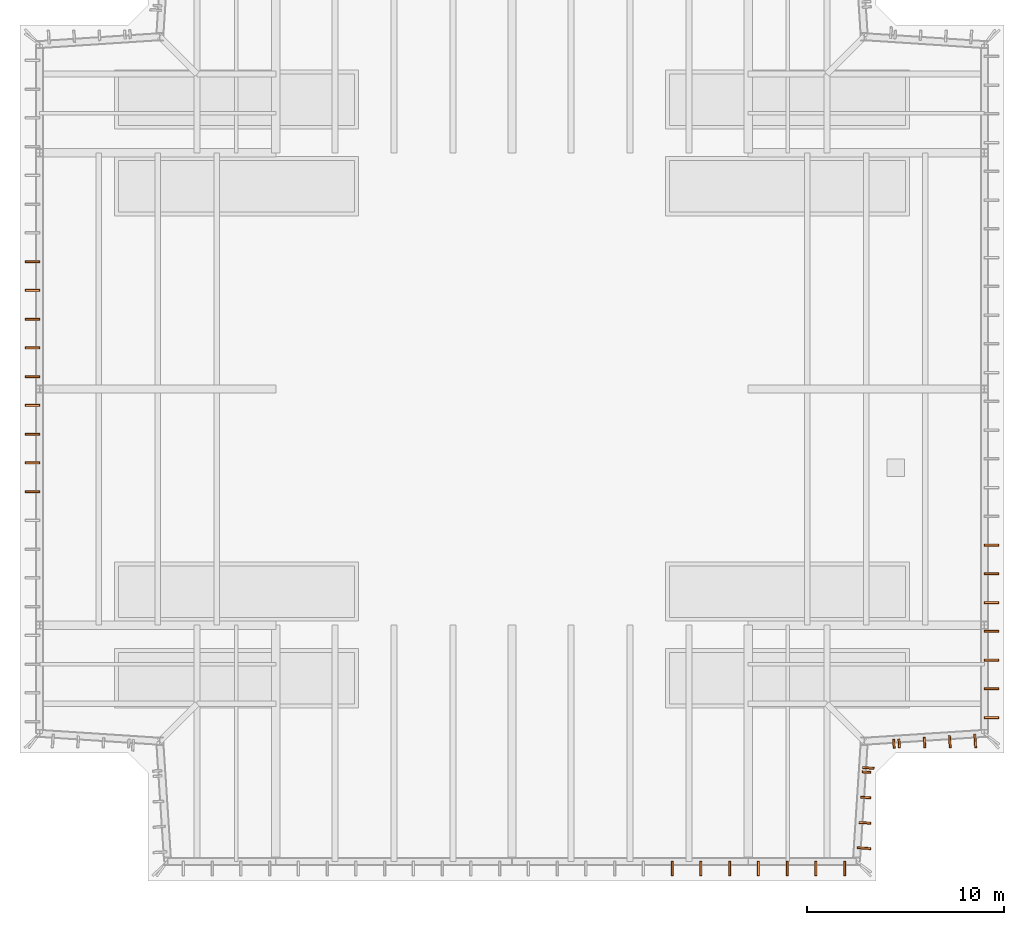
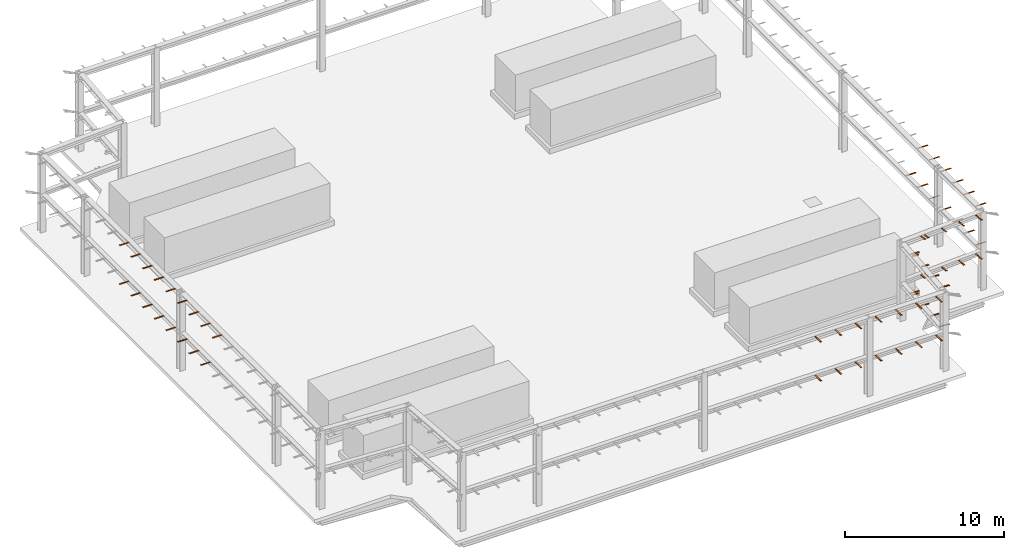
# One storey, part 5 of 8: 64 proxies.
"""IFC4 building model written with IfcOpenShell, lengths in metres."""

from ifc_helpers import new_model, si_unit, direction, frame, origin, origin_2d, place, context, subcontext, project, spatial, rectangle, extrude, material, material_profile, profile_set, type_object, element, save


model = new_model("IFC4")

# Units and contexts
model_context = context("Model", 3, precision=1e-05, world=origin(), true_north=direction((0.0, 1.0)))
body_context = subcontext(model_context, "Body", "Model", "MODEL_VIEW")
ifc_project = project(units=[si_unit("LENGTHUNIT", "METRE"), si_unit("AREAUNIT", "SQUARE_METRE"), si_unit("VOLUMEUNIT", "CUBIC_METRE"), si_unit("PLANEANGLEUNIT", "RADIAN"), si_unit("MASSUNIT", "GRAM", prefix="KILO")], contexts=[model_context])

# Site, building, storey
site_placement = place(None, origin())
site = spatial("IfcSite", under=ifc_project, at=site_placement, CompositionType="ELEMENT")
building_placement = place(site_placement, origin())
building = spatial("IfcBuilding", under=site, at=building_placement, Name="Fenwick Lantern Interchange", CompositionType="ELEMENT")
storey_placement = place(building_placement, frame((0.0, 0.0, 313.800048828125)))
storey = spatial("IfcBuildingStorey", under=building, at=storey_placement, Name="RF-A", CompositionType="ELEMENT", Elevation=313.800048828125)

# Proxies
ifc_material = material(Name="Steel ASTM A572 Grade 50", Category="steel")
ifc_material_profile = material_profile(ifc_material, rectangle(XDim=0.10009765625, YDim=0.011962890625, at=origin_2d()), Name="PL100X12")
ifc_profile_set = profile_set([ifc_material_profile], Name="Steel ASTM A572 Grade 50")
building_element_proxy_type = type_object("IfcBuildingElementProxyType", Name="LANTERN TIE BRACKET PL 100 X 12", PredefinedType="USERDEFINED", material=ifc_profile_set)
proxy_1_placement = place(storey_placement, frame((33.134521484375, 0.27490234375, 2.84619140625), z_axis=(0.0, 1.0, 0.0), x_axis=(-1.0, 0.0, 0.0)))
element("IfcBuildingElementProxy", 1, at=proxy_1_placement, inside=storey, type_object=building_element_proxy_type, Name="Lantern tie bracket", ObjectType="LANTERN TIE BRACKET", PredefinedType="USERDEFINED", context=body_context, shape_type="SweptSolid", body=[
    extrude(rectangle(XDim=0.10009765625, YDim=0.011962890625, at=origin_2d()), origin(), (0.0, 0.0, 1.0), 0.72021484375),
])
proxy_2_placement = place(storey_placement, frame((33.134521484375, 0.27490234375, 5.822265625), z_axis=(0.0, 1.0, 0.0), x_axis=(-1.0, 0.0, 0.0)))
element("IfcBuildingElementProxy", 2, at=proxy_2_placement, inside=storey, type_object=building_element_proxy_type, Name="Lantern tie bracket", ObjectType="LANTERN TIE BRACKET", PredefinedType="USERDEFINED", context=body_context, shape_type="SweptSolid", body=[
    extrude(rectangle(XDim=0.10009765625, YDim=0.011962890625, at=origin_2d()), origin(), (0.0, 0.0, 1.0), 0.719482421875),
])
proxy_3_placement = place(storey_placement, frame((34.59521484375, 0.27490234375, 2.84619140625), z_axis=(0.0, 1.0, 0.0), x_axis=(-1.0, 0.0, 0.0)))
element("IfcBuildingElementProxy", 3, at=proxy_3_placement, inside=storey, type_object=building_element_proxy_type, Name="Lantern tie bracket", ObjectType="LANTERN TIE BRACKET", PredefinedType="USERDEFINED", context=body_context, shape_type="SweptSolid", body=[
    extrude(rectangle(XDim=0.10009765625, YDim=0.011962890625, at=origin_2d()), origin(), (0.0, 0.0, 1.0), 0.72021484375),
])
proxy_4_placement = place(storey_placement, frame((34.59521484375, 0.27490234375, 5.822265625), z_axis=(0.0, 1.0, 0.0), x_axis=(-1.0, 0.0, 0.0)))
element("IfcBuildingElementProxy", 4, at=proxy_4_placement, inside=storey, type_object=building_element_proxy_type, Name="Lantern tie bracket", ObjectType="LANTERN TIE BRACKET", PredefinedType="USERDEFINED", context=body_context, shape_type="SweptSolid", body=[
    extrude(rectangle(XDim=0.10009765625, YDim=0.011962890625, at=origin_2d()), origin(), (0.0, 0.0, 1.0), 0.719482421875),
])
proxy_5_placement = place(storey_placement, frame((36.055908203125, 0.27490234375, 2.84619140625), z_axis=(0.0, 1.0, 0.0), x_axis=(-1.0, 0.0, 0.0)))
element("IfcBuildingElementProxy", 5, at=proxy_5_placement, inside=storey, type_object=building_element_proxy_type, Name="Lantern tie bracket", ObjectType="LANTERN TIE BRACKET", PredefinedType="USERDEFINED", context=body_context, shape_type="SweptSolid", body=[
    extrude(rectangle(XDim=0.10009765625, YDim=0.011962890625, at=origin_2d()), origin(), (0.0, 0.0, 1.0), 0.72021484375),
])
proxy_6_placement = place(storey_placement, frame((36.055908203125, 0.27490234375, 5.822265625), z_axis=(0.0, 1.0, 0.0), x_axis=(-1.0, 0.0, 0.0)))
element("IfcBuildingElementProxy", 6, at=proxy_6_placement, inside=storey, type_object=building_element_proxy_type, Name="Lantern tie bracket", ObjectType="LANTERN TIE BRACKET", PredefinedType="USERDEFINED", context=body_context, shape_type="SweptSolid", body=[
    extrude(rectangle(XDim=0.10009765625, YDim=0.011962890625, at=origin_2d()), origin(), (0.0, 0.0, 1.0), 0.719482421875),
])
proxy_7_placement = place(storey_placement, frame((37.516845703125, 0.27490234375, 2.84619140625), z_axis=(0.0, 1.0, 0.0), x_axis=(-1.0, 0.0, 0.0)))
element("IfcBuildingElementProxy", 7, at=proxy_7_placement, inside=storey, type_object=building_element_proxy_type, Name="Lantern tie bracket", ObjectType="LANTERN TIE BRACKET", PredefinedType="USERDEFINED", context=body_context, shape_type="SweptSolid", body=[
    extrude(rectangle(XDim=0.10009765625, YDim=0.011962890625, at=origin_2d()), origin(), (0.0, 0.0, 1.0), 0.72021484375),
])
proxy_8_placement = place(storey_placement, frame((37.516845703125, 0.27490234375, 5.822265625), z_axis=(0.0, 1.0, 0.0), x_axis=(-1.0, 0.0, 0.0)))
element("IfcBuildingElementProxy", 8, at=proxy_8_placement, inside=storey, type_object=building_element_proxy_type, Name="Lantern tie bracket", ObjectType="LANTERN TIE BRACKET", PredefinedType="USERDEFINED", context=body_context, shape_type="SweptSolid", body=[
    extrude(rectangle(XDim=0.10009765625, YDim=0.011962890625, at=origin_2d()), origin(), (0.0, 0.0, 1.0), 0.719482421875),
])
proxy_9_placement = place(storey_placement, frame((38.9775390625, 0.27490234375, 2.84619140625), z_axis=(0.0, 1.0, 0.0), x_axis=(-1.0, 0.0, 0.0)))
element("IfcBuildingElementProxy", 9, at=proxy_9_placement, inside=storey, type_object=building_element_proxy_type, Name="Lantern tie bracket", ObjectType="LANTERN TIE BRACKET", PredefinedType="USERDEFINED", context=body_context, shape_type="SweptSolid", body=[
    extrude(rectangle(XDim=0.10009765625, YDim=0.011962890625, at=origin_2d()), origin(), (0.0, 0.0, 1.0), 0.72021484375),
])
proxy_10_placement = place(storey_placement, frame((38.9775390625, 0.27490234375, 5.822265625), z_axis=(0.0, 1.0, 0.0), x_axis=(-1.0, 0.0, 0.0)))
element("IfcBuildingElementProxy", 10, at=proxy_10_placement, inside=storey, type_object=building_element_proxy_type, Name="Lantern tie bracket", ObjectType="LANTERN TIE BRACKET", PredefinedType="USERDEFINED", context=body_context, shape_type="SweptSolid", body=[
    extrude(rectangle(XDim=0.10009765625, YDim=0.011962890625, at=origin_2d()), origin(), (0.0, 0.0, 1.0), 0.719482421875),
])
proxy_11_placement = place(storey_placement, frame((40.4384765625, 0.27490234375, 2.84619140625), z_axis=(0.0, 1.0, 0.0), x_axis=(-1.0, 0.0, 0.0)))
element("IfcBuildingElementProxy", 11, at=proxy_11_placement, inside=storey, type_object=building_element_proxy_type, Name="Lantern tie bracket", ObjectType="LANTERN TIE BRACKET", PredefinedType="USERDEFINED", context=body_context, shape_type="SweptSolid", body=[
    extrude(rectangle(XDim=0.10009765625, YDim=0.011962890625, at=origin_2d()), origin(), (0.0, 0.0, 1.0), 0.72021484375),
])
proxy_12_placement = place(storey_placement, frame((40.4384765625, 0.27490234375, 5.822265625), z_axis=(0.0, 1.0, 0.0), x_axis=(-1.0, 0.0, 0.0)))
element("IfcBuildingElementProxy", 12, at=proxy_12_placement, inside=storey, type_object=building_element_proxy_type, Name="Lantern tie bracket", ObjectType="LANTERN TIE BRACKET", PredefinedType="USERDEFINED", context=body_context, shape_type="SweptSolid", body=[
    extrude(rectangle(XDim=0.10009765625, YDim=0.011962890625, at=origin_2d()), origin(), (0.0, 0.0, 1.0), 0.719482421875),
])
proxy_13_placement = place(storey_placement, frame((41.899169921875, 0.27490234375, 2.84619140625), z_axis=(0.0, 1.0, 0.0), x_axis=(-1.0, 0.0, 0.0)))
element("IfcBuildingElementProxy", 13, at=proxy_13_placement, inside=storey, type_object=building_element_proxy_type, Name="Lantern tie bracket", ObjectType="LANTERN TIE BRACKET", PredefinedType="USERDEFINED", context=body_context, shape_type="SweptSolid", body=[
    extrude(rectangle(XDim=0.10009765625, YDim=0.011962890625, at=origin_2d()), origin(), (0.0, 0.0, 1.0), 0.72021484375),
])
proxy_14_placement = place(storey_placement, frame((41.899169921875, 0.27490234375, 5.822265625), z_axis=(0.0, 1.0, 0.0), x_axis=(-1.0, 0.0, 0.0)))
element("IfcBuildingElementProxy", 14, at=proxy_14_placement, inside=storey, type_object=building_element_proxy_type, Name="Lantern tie bracket", ObjectType="LANTERN TIE BRACKET", PredefinedType="USERDEFINED", context=body_context, shape_type="SweptSolid", body=[
    extrude(rectangle(XDim=0.10009765625, YDim=0.011962890625, at=origin_2d()), origin(), (0.0, 0.0, 1.0), 0.719482421875),
])
proxy_15_placement = place(storey_placement, frame((43.225341796875, 1.641845703125, 2.84619140625), z_axis=(-0.997865821325, 0.065297799588, 0.0), x_axis=(-0.065297799588, -0.997865821325, 0.0)))
element("IfcBuildingElementProxy", 15, at=proxy_15_placement, inside=storey, type_object=building_element_proxy_type, Name="Lantern tie bracket", ObjectType="LANTERN TIE BRACKET", PredefinedType="USERDEFINED", context=body_context, shape_type="SweptSolid", body=[
    extrude(rectangle(XDim=0.10009765625, YDim=0.011962890625, at=origin_2d()), origin(), (0.0, 0.0, 1.0), 0.6767578125),
])
proxy_16_placement = place(storey_placement, frame((43.225341796875, 1.641845703125, 5.822265625), z_axis=(-0.997862741569, 0.06534484668, 0.0), x_axis=(-0.06534484668, -0.997862741569, 0.0)))
element("IfcBuildingElementProxy", 16, at=proxy_16_placement, inside=storey, type_object=building_element_proxy_type, Name="Lantern tie bracket", ObjectType="LANTERN TIE BRACKET", PredefinedType="USERDEFINED", context=body_context, shape_type="SweptSolid", body=[
    extrude(rectangle(XDim=0.10009765625, YDim=0.011962890625, at=origin_2d()), origin(), (0.0, 0.0, 1.0), 0.67626953125),
])
proxy_17_placement = place(storey_placement, frame((43.225341796875, 2.93212890625, 2.84619140625), z_axis=(-0.997850326374, 0.06553416022, 0.0), x_axis=(-0.06553416022, -0.997850326374, 0.0)))
element("IfcBuildingElementProxy", 17, at=proxy_17_placement, inside=storey, type_object=building_element_proxy_type, Name="Lantern tie bracket", ObjectType="LANTERN TIE BRACKET", PredefinedType="USERDEFINED", context=body_context, shape_type="SweptSolid", body=[
    extrude(rectangle(XDim=0.10009765625, YDim=0.011962890625, at=origin_2d()), origin(), (0.0, 0.0, 1.0), 0.59228515625),
])
proxy_18_placement = place(storey_placement, frame((43.225341796875, 2.93212890625, 5.822265625), z_axis=(-0.997846781733, 0.065588110085, 0.0), x_axis=(-0.065588110085, -0.997846781733, 0.0)))
element("IfcBuildingElementProxy", 18, at=proxy_18_placement, inside=storey, type_object=building_element_proxy_type, Name="Lantern tie bracket", ObjectType="LANTERN TIE BRACKET", PredefinedType="USERDEFINED", context=body_context, shape_type="SweptSolid", body=[
    extrude(rectangle(XDim=0.10009765625, YDim=0.011962890625, at=origin_2d()), origin(), (0.0, 0.0, 1.0), 0.591796875),
])
proxy_19_placement = place(storey_placement, frame((43.225341796875, 4.222412109375, 2.84619140625), z_axis=(-0.99782959513, 0.065849062877, 0.0), x_axis=(-0.065849062877, -0.99782959513, 0.0)))
element("IfcBuildingElementProxy", 19, at=proxy_19_placement, inside=storey, type_object=building_element_proxy_type, Name="Lantern tie bracket", ObjectType="LANTERN TIE BRACKET", PredefinedType="USERDEFINED", context=body_context, shape_type="SweptSolid", body=[
    extrude(rectangle(XDim=0.10009765625, YDim=0.011962890625, at=origin_2d()), origin(), (0.0, 0.0, 1.0), 0.508056640625),
])
proxy_20_placement = place(storey_placement, frame((43.225341796875, 4.222412109375, 5.822265625), z_axis=(-0.99785694905, 0.065433242561, 0.0), x_axis=(-0.065433242561, -0.99785694905, 0.0)))
element("IfcBuildingElementProxy", 20, at=proxy_20_placement, inside=storey, type_object=building_element_proxy_type, Name="Lantern tie bracket", ObjectType="LANTERN TIE BRACKET", PredefinedType="USERDEFINED", context=body_context, shape_type="SweptSolid", body=[
    extrude(rectangle(XDim=0.10009765625, YDim=0.011962890625, at=origin_2d()), origin(), (0.0, 0.0, 1.0), 0.50732421875),
])
proxy_21_placement = place(storey_placement, frame((43.225341796875, 5.512939453125, 2.84619140625), z_axis=(-0.997876034789, 0.065141532023, 0.0), x_axis=(-0.065141532023, -0.997876034789, 0.0)))
element("IfcBuildingElementProxy", 21, at=proxy_21_placement, inside=storey, type_object=building_element_proxy_type, Name="Lantern tie bracket", ObjectType="LANTERN TIE BRACKET", PredefinedType="USERDEFINED", context=body_context, shape_type="SweptSolid", body=[
    extrude(rectangle(XDim=0.10009765625, YDim=0.011962890625, at=origin_2d()), origin(), (0.0, 0.0, 1.0), 0.423583984375),
])
proxy_22_placement = place(storey_placement, frame((43.225341796875, 5.512939453125, 5.822265625), z_axis=(-0.997871133893, 0.065216563407, 0.0), x_axis=(-0.065216563407, -0.997871133893, 0.0)))
element("IfcBuildingElementProxy", 22, at=proxy_22_placement, inside=storey, type_object=building_element_proxy_type, Name="Lantern tie bracket", ObjectType="LANTERN TIE BRACKET", PredefinedType="USERDEFINED", context=body_context, shape_type="SweptSolid", body=[
    extrude(rectangle(XDim=0.10009765625, YDim=0.011962890625, at=origin_2d()), origin(), (0.0, 0.0, 1.0), 0.423095703125),
])
proxy_23_placement = place(storey_placement, frame((43.39501953125, 5.72265625, 2.84619140625), z_axis=(-0.997862811186, 0.06534378358, 0.0), x_axis=(-0.06534378358, -0.997862811186, 0.0)))
element("IfcBuildingElementProxy", 23, at=proxy_23_placement, inside=storey, type_object=building_element_proxy_type, Name="Lantern tie bracket", ObjectType="LANTERN TIE BRACKET", PredefinedType="USERDEFINED", context=body_context, shape_type="SweptSolid", body=[
    extrude(rectangle(XDim=0.10009765625, YDim=0.011962890625, at=origin_2d()), origin(), (0.0, 0.0, 1.0), 0.5791015625),
])
proxy_24_placement = place(storey_placement, frame((43.39501953125, 5.72265625, 5.822265625), z_axis=(-0.997857400839, 0.065426352424, 0.0), x_axis=(-0.065426352424, -0.997857400839, 0.0)))
element("IfcBuildingElementProxy", 24, at=proxy_24_placement, inside=storey, type_object=building_element_proxy_type, Name="Lantern tie bracket", ObjectType="LANTERN TIE BRACKET", PredefinedType="USERDEFINED", context=body_context, shape_type="SweptSolid", body=[
    extrude(rectangle(XDim=0.10009765625, YDim=0.011962890625, at=origin_2d()), origin(), (0.0, 0.0, 1.0), 0.578369140625),
])
proxy_25_placement = place(storey_placement, frame((44.4189453125, 6.746337890625, 2.84619140625), z_axis=(-0.065504525527, 0.9978522722, 0.0), x_axis=(-0.9978522722, -0.065504525527, 0.0)))
element("IfcBuildingElementProxy", 25, at=proxy_25_placement, inside=storey, type_object=building_element_proxy_type, Name="Lantern tie bracket", ObjectType="LANTERN TIE BRACKET", PredefinedType="USERDEFINED", context=body_context, shape_type="SweptSolid", body=[
    extrude(rectangle(XDim=0.10009765625, YDim=0.011962890625, at=origin_2d()), origin(), (0.0, 0.0, 1.0), 0.447265625),
])
proxy_26_placement = place(storey_placement, frame((44.4189453125, 6.746337890625, 5.822265625), z_axis=(-0.065575963639, 0.997847580041, 0.0), x_axis=(-0.997847580041, -0.065575963639, 0.0)))
element("IfcBuildingElementProxy", 26, at=proxy_26_placement, inside=storey, type_object=building_element_proxy_type, Name="Lantern tie bracket", ObjectType="LANTERN TIE BRACKET", PredefinedType="USERDEFINED", context=body_context, shape_type="SweptSolid", body=[
    extrude(rectangle(XDim=0.10009765625, YDim=0.011962890625, at=origin_2d()), origin(), (0.0, 0.0, 1.0), 0.44677734375),
])
proxy_27_placement = place(storey_placement, frame((44.68701171875, 6.774658203125, 2.84619140625), z_axis=(-0.065405867239, 0.997858743776, 0.0), x_axis=(-0.997858743776, -0.065405867239, 0.0)))
element("IfcBuildingElementProxy", 27, at=proxy_27_placement, inside=storey, type_object=building_element_proxy_type, Name="Lantern tie bracket", ObjectType="LANTERN TIE BRACKET", PredefinedType="USERDEFINED", context=body_context, shape_type="SweptSolid", body=[
    extrude(rectangle(XDim=0.10009765625, YDim=0.011962890625, at=origin_2d()), origin(), (0.0, 0.0, 1.0), 0.436767578125),
])
proxy_28_placement = place(storey_placement, frame((44.68701171875, 6.774658203125, 5.822265625), z_axis=(-0.064957917223, 0.997888004232, 0.0), x_axis=(-0.997888004232, -0.064957917223, 0.0)))
element("IfcBuildingElementProxy", 28, at=proxy_28_placement, inside=storey, type_object=building_element_proxy_type, Name="Lantern tie bracket", ObjectType="LANTERN TIE BRACKET", PredefinedType="USERDEFINED", context=body_context, shape_type="SweptSolid", body=[
    extrude(rectangle(XDim=0.10009765625, YDim=0.011962890625, at=origin_2d()), origin(), (0.0, 0.0, 1.0), 0.43603515625),
])
proxy_29_placement = place(storey_placement, frame((45.9775390625, 6.774658203125, 2.84619140625), z_axis=(-0.065586181778, 0.997846908478, 0.0), x_axis=(-0.997846908478, -0.065586181778, 0.0)))
element("IfcBuildingElementProxy", 29, at=proxy_29_placement, inside=storey, type_object=building_element_proxy_type, Name="Lantern tie bracket", ObjectType="LANTERN TIE BRACKET", PredefinedType="USERDEFINED", context=body_context, shape_type="SweptSolid", body=[
    extrude(rectangle(XDim=0.10009765625, YDim=0.011962890625, at=origin_2d()), origin(), (0.0, 0.0, 1.0), 0.521240234375),
])
proxy_30_placement = place(storey_placement, frame((45.9775390625, 6.774658203125, 5.822265625), z_axis=(-0.065678288217, 0.997840850265, 0.0), x_axis=(-0.997840850265, -0.065678288217, 0.0)))
element("IfcBuildingElementProxy", 30, at=proxy_30_placement, inside=storey, type_object=building_element_proxy_type, Name="Lantern tie bracket", ObjectType="LANTERN TIE BRACKET", PredefinedType="USERDEFINED", context=body_context, shape_type="SweptSolid", body=[
    extrude(rectangle(XDim=0.10009765625, YDim=0.011962890625, at=origin_2d()), origin(), (0.0, 0.0, 1.0), 0.5205078125),
])
proxy_31_placement = place(storey_placement, frame((47.267822265625, 6.774658203125, 2.84619140625), z_axis=(-0.065314781015, 0.997864709959, 0.0), x_axis=(-0.997864709959, -0.065314781015, 0.0)))
element("IfcBuildingElementProxy", 31, at=proxy_31_placement, inside=storey, type_object=building_element_proxy_type, Name="Lantern tie bracket", ObjectType="LANTERN TIE BRACKET", PredefinedType="USERDEFINED", context=body_context, shape_type="SweptSolid", body=[
    extrude(rectangle(XDim=0.10009765625, YDim=0.011962890625, at=origin_2d()), origin(), (0.0, 0.0, 1.0), 0.60546875),
])
proxy_32_placement = place(storey_placement, frame((47.267822265625, 6.774658203125, 5.822265625), z_axis=(-0.065393707765, 0.997859540709, 0.0), x_axis=(-0.997859540709, -0.065393707765, 0.0)))
element("IfcBuildingElementProxy", 32, at=proxy_32_placement, inside=storey, type_object=building_element_proxy_type, Name="Lantern tie bracket", ObjectType="LANTERN TIE BRACKET", PredefinedType="USERDEFINED", context=body_context, shape_type="SweptSolid", body=[
    extrude(rectangle(XDim=0.10009765625, YDim=0.011962890625, at=origin_2d()), origin(), (0.0, 0.0, 1.0), 0.604736328125),
])
proxy_33_placement = place(storey_placement, frame((48.55810546875, 6.774658203125, 2.84619140625), z_axis=(-0.065462122394, 0.997855054871, 0.0), x_axis=(-0.997855054871, -0.065462122394, 0.0)))
element("IfcBuildingElementProxy", 33, at=proxy_33_placement, inside=storey, type_object=building_element_proxy_type, Name="Lantern tie bracket", ObjectType="LANTERN TIE BRACKET", PredefinedType="USERDEFINED", context=body_context, shape_type="SweptSolid", body=[
    extrude(rectangle(XDim=0.10009765625, YDim=0.011962890625, at=origin_2d()), origin(), (0.0, 0.0, 1.0), 0.68994140625),
])
proxy_34_placement = place(storey_placement, frame((48.55810546875, 6.774658203125, 5.822265625), z_axis=(-0.065178822278, 0.997873599774, 0.0), x_axis=(-0.997873599774, -0.065178822278, 0.0)))
element("IfcBuildingElementProxy", 34, at=proxy_34_placement, inside=storey, type_object=building_element_proxy_type, Name="Lantern tie bracket", ObjectType="LANTERN TIE BRACKET", PredefinedType="USERDEFINED", context=body_context, shape_type="SweptSolid", body=[
    extrude(rectangle(XDim=0.10009765625, YDim=0.011962890625, at=origin_2d()), origin(), (0.0, 0.0, 1.0), 0.689208984375),
])
proxy_35_placement = place(storey_placement, frame((49.72509765625, 8.30078125, 2.84619140625), z_axis=(-1.0, 0.0, 0.0), x_axis=(0.0, -1.0, 0.0)))
element("IfcBuildingElementProxy", 35, at=proxy_35_placement, inside=storey, type_object=building_element_proxy_type, Name="Lantern tie bracket", ObjectType="LANTERN TIE BRACKET", PredefinedType="USERDEFINED", context=body_context, shape_type="SweptSolid", body=[
    extrude(rectangle(XDim=0.10009765625, YDim=0.011962890625, at=origin_2d()), origin(), (0.0, 0.0, 1.0), 0.72021484375),
])
proxy_36_placement = place(storey_placement, frame((49.72509765625, 8.30078125, 5.822265625), z_axis=(-1.0, 0.0, 0.0), x_axis=(0.0, -1.0, 0.0)))
element("IfcBuildingElementProxy", 36, at=proxy_36_placement, inside=storey, type_object=building_element_proxy_type, Name="Lantern tie bracket", ObjectType="LANTERN TIE BRACKET", PredefinedType="USERDEFINED", context=body_context, shape_type="SweptSolid", body=[
    extrude(rectangle(XDim=0.10009765625, YDim=0.011962890625, at=origin_2d()), origin(), (0.0, 0.0, 1.0), 0.719482421875),
])
proxy_37_placement = place(storey_placement, frame((49.72509765625, 9.76171875, 2.84619140625), z_axis=(-1.0, 0.0, 0.0), x_axis=(0.0, -1.0, 0.0)))
element("IfcBuildingElementProxy", 37, at=proxy_37_placement, inside=storey, type_object=building_element_proxy_type, Name="Lantern tie bracket", ObjectType="LANTERN TIE BRACKET", PredefinedType="USERDEFINED", context=body_context, shape_type="SweptSolid", body=[
    extrude(rectangle(XDim=0.10009765625, YDim=0.011962890625, at=origin_2d()), origin(), (0.0, 0.0, 1.0), 0.72021484375),
])
proxy_38_placement = place(storey_placement, frame((49.72509765625, 9.76171875, 5.822265625), z_axis=(-1.0, 0.0, 0.0), x_axis=(0.0, -1.0, 0.0)))
element("IfcBuildingElementProxy", 38, at=proxy_38_placement, inside=storey, type_object=building_element_proxy_type, Name="Lantern tie bracket", ObjectType="LANTERN TIE BRACKET", PredefinedType="USERDEFINED", context=body_context, shape_type="SweptSolid", body=[
    extrude(rectangle(XDim=0.10009765625, YDim=0.011962890625, at=origin_2d()), origin(), (0.0, 0.0, 1.0), 0.719482421875),
])
proxy_39_placement = place(storey_placement, frame((49.72509765625, 11.222412109375, 2.84619140625), z_axis=(-1.0, 0.0, 0.0), x_axis=(0.0, -1.0, 0.0)))
element("IfcBuildingElementProxy", 39, at=proxy_39_placement, inside=storey, type_object=building_element_proxy_type, Name="Lantern tie bracket", ObjectType="LANTERN TIE BRACKET", PredefinedType="USERDEFINED", context=body_context, shape_type="SweptSolid", body=[
    extrude(rectangle(XDim=0.10009765625, YDim=0.011962890625, at=origin_2d()), origin(), (0.0, 0.0, 1.0), 0.72021484375),
])
proxy_40_placement = place(storey_placement, frame((49.72509765625, 11.222412109375, 5.822265625), z_axis=(-1.0, 0.0, 0.0), x_axis=(0.0, -1.0, 0.0)))
element("IfcBuildingElementProxy", 40, at=proxy_40_placement, inside=storey, type_object=building_element_proxy_type, Name="Lantern tie bracket", ObjectType="LANTERN TIE BRACKET", PredefinedType="USERDEFINED", context=body_context, shape_type="SweptSolid", body=[
    extrude(rectangle(XDim=0.10009765625, YDim=0.011962890625, at=origin_2d()), origin(), (0.0, 0.0, 1.0), 0.719482421875),
])
proxy_41_placement = place(storey_placement, frame((49.72509765625, 12.68310546875, 2.84619140625), z_axis=(-1.0, 0.0, 0.0), x_axis=(0.0, -1.0, 0.0)))
element("IfcBuildingElementProxy", 41, at=proxy_41_placement, inside=storey, type_object=building_element_proxy_type, Name="Lantern tie bracket", ObjectType="LANTERN TIE BRACKET", PredefinedType="USERDEFINED", context=body_context, shape_type="SweptSolid", body=[
    extrude(rectangle(XDim=0.10009765625, YDim=0.011962890625, at=origin_2d()), origin(), (0.0, 0.0, 1.0), 0.72021484375),
])
proxy_42_placement = place(storey_placement, frame((49.72509765625, 12.68310546875, 5.822265625), z_axis=(-1.0, 0.0, 0.0), x_axis=(0.0, -1.0, 0.0)))
element("IfcBuildingElementProxy", 42, at=proxy_42_placement, inside=storey, type_object=building_element_proxy_type, Name="Lantern tie bracket", ObjectType="LANTERN TIE BRACKET", PredefinedType="USERDEFINED", context=body_context, shape_type="SweptSolid", body=[
    extrude(rectangle(XDim=0.10009765625, YDim=0.011962890625, at=origin_2d()), origin(), (0.0, 0.0, 1.0), 0.719482421875),
])
proxy_43_placement = place(storey_placement, frame((49.72509765625, 14.14404296875, 2.84619140625), z_axis=(-1.0, 0.0, 0.0), x_axis=(0.0, -1.0, 0.0)))
element("IfcBuildingElementProxy", 43, at=proxy_43_placement, inside=storey, type_object=building_element_proxy_type, Name="Lantern tie bracket", ObjectType="LANTERN TIE BRACKET", PredefinedType="USERDEFINED", context=body_context, shape_type="SweptSolid", body=[
    extrude(rectangle(XDim=0.10009765625, YDim=0.011962890625, at=origin_2d()), origin(), (0.0, 0.0, 1.0), 0.72021484375),
])
proxy_44_placement = place(storey_placement, frame((49.72509765625, 14.14404296875, 5.822265625), z_axis=(-1.0, 0.0, 0.0), x_axis=(0.0, -1.0, 0.0)))
element("IfcBuildingElementProxy", 44, at=proxy_44_placement, inside=storey, type_object=building_element_proxy_type, Name="Lantern tie bracket", ObjectType="LANTERN TIE BRACKET", PredefinedType="USERDEFINED", context=body_context, shape_type="SweptSolid", body=[
    extrude(rectangle(XDim=0.10009765625, YDim=0.011962890625, at=origin_2d()), origin(), (0.0, 0.0, 1.0), 0.719482421875),
])
proxy_45_placement = place(storey_placement, frame((49.72509765625, 15.604736328125, 2.84619140625), z_axis=(-1.0, 0.0, 0.0), x_axis=(0.0, -1.0, 0.0)))
element("IfcBuildingElementProxy", 45, at=proxy_45_placement, inside=storey, type_object=building_element_proxy_type, Name="Lantern tie bracket", ObjectType="LANTERN TIE BRACKET", PredefinedType="USERDEFINED", context=body_context, shape_type="SweptSolid", body=[
    extrude(rectangle(XDim=0.10009765625, YDim=0.011962890625, at=origin_2d()), origin(), (0.0, 0.0, 1.0), 0.72021484375),
])
proxy_46_placement = place(storey_placement, frame((49.72509765625, 15.604736328125, 5.822265625), z_axis=(-1.0, 0.0, 0.0), x_axis=(0.0, -1.0, 0.0)))
element("IfcBuildingElementProxy", 46, at=proxy_46_placement, inside=storey, type_object=building_element_proxy_type, Name="Lantern tie bracket", ObjectType="LANTERN TIE BRACKET", PredefinedType="USERDEFINED", context=body_context, shape_type="SweptSolid", body=[
    extrude(rectangle(XDim=0.10009765625, YDim=0.011962890625, at=origin_2d()), origin(), (0.0, 0.0, 1.0), 0.719482421875),
])
for number, where, z_axis, x_axis, name in (
    (47, (49.72509765625, 17.065673828125, 2.84619140625), (-1.0, 0.0, 0.0), (0.0, -1.0, 0.0), "Lantern tie bracket"),
    (48, (0.27490234375, 31.4736328125, 2.84619140625), (1.0, 0.0, 0.0), (0.0, 1.0, 0.0), "Lantern tie bracket"),
):
    element("IfcBuildingElementProxy", number, at=place(storey_placement, frame(where, z_axis=z_axis, x_axis=x_axis)), inside=storey, type_object=building_element_proxy_type, Name=name, ObjectType="LANTERN TIE BRACKET", PredefinedType="USERDEFINED", context=body_context, shape_type="SweptSolid", body=[
        extrude(rectangle(XDim=0.10009765625, YDim=0.011962890625, at=origin_2d()), origin(), (0.0, 0.0, 1.0), 0.72021484375),
    ])
proxy_47_placement = place(storey_placement, frame((0.27490234375, 31.4736328125, 5.822265625), z_axis=(1.0, 0.0, 0.0), x_axis=(0.0, 1.0, 0.0)))
element("IfcBuildingElementProxy", 49, at=proxy_47_placement, inside=storey, type_object=building_element_proxy_type, Name="Lantern tie bracket", ObjectType="LANTERN TIE BRACKET", PredefinedType="USERDEFINED", context=body_context, shape_type="SweptSolid", body=[
    extrude(rectangle(XDim=0.10009765625, YDim=0.011962890625, at=origin_2d()), origin(), (0.0, 0.0, 1.0), 0.719482421875),
])
proxy_48_placement = place(storey_placement, frame((0.27490234375, 30.0126953125, 2.84619140625), z_axis=(1.0, 0.0, 0.0), x_axis=(0.0, 1.0, 0.0)))
element("IfcBuildingElementProxy", 50, at=proxy_48_placement, inside=storey, type_object=building_element_proxy_type, Name="Lantern tie bracket", ObjectType="LANTERN TIE BRACKET", PredefinedType="USERDEFINED", context=body_context, shape_type="SweptSolid", body=[
    extrude(rectangle(XDim=0.10009765625, YDim=0.011962890625, at=origin_2d()), origin(), (0.0, 0.0, 1.0), 0.72021484375),
])
proxy_49_placement = place(storey_placement, frame((0.27490234375, 30.0126953125, 5.822265625), z_axis=(1.0, 0.0, 0.0), x_axis=(0.0, 1.0, 0.0)))
element("IfcBuildingElementProxy", 51, at=proxy_49_placement, inside=storey, type_object=building_element_proxy_type, Name="Lantern tie bracket", ObjectType="LANTERN TIE BRACKET", PredefinedType="USERDEFINED", context=body_context, shape_type="SweptSolid", body=[
    extrude(rectangle(XDim=0.10009765625, YDim=0.011962890625, at=origin_2d()), origin(), (0.0, 0.0, 1.0), 0.719482421875),
])
proxy_50_placement = place(storey_placement, frame((0.27490234375, 28.552001953125, 2.84619140625), z_axis=(1.0, 0.0, 0.0), x_axis=(0.0, 1.0, 0.0)))
element("IfcBuildingElementProxy", 52, at=proxy_50_placement, inside=storey, type_object=building_element_proxy_type, Name="Lantern tie bracket", ObjectType="LANTERN TIE BRACKET", PredefinedType="USERDEFINED", context=body_context, shape_type="SweptSolid", body=[
    extrude(rectangle(XDim=0.10009765625, YDim=0.011962890625, at=origin_2d()), origin(), (0.0, 0.0, 1.0), 0.72021484375),
])
proxy_51_placement = place(storey_placement, frame((0.27490234375, 28.552001953125, 5.822265625), z_axis=(1.0, 0.0, 0.0), x_axis=(0.0, 1.0, 0.0)))
element("IfcBuildingElementProxy", 53, at=proxy_51_placement, inside=storey, type_object=building_element_proxy_type, Name="Lantern tie bracket", ObjectType="LANTERN TIE BRACKET", PredefinedType="USERDEFINED", context=body_context, shape_type="SweptSolid", body=[
    extrude(rectangle(XDim=0.10009765625, YDim=0.011962890625, at=origin_2d()), origin(), (0.0, 0.0, 1.0), 0.719482421875),
])
proxy_52_placement = place(storey_placement, frame((0.27490234375, 27.09130859375, 2.84619140625), z_axis=(1.0, 0.0, 0.0), x_axis=(0.0, 1.0, 0.0)))
element("IfcBuildingElementProxy", 54, at=proxy_52_placement, inside=storey, type_object=building_element_proxy_type, Name="Lantern tie bracket", ObjectType="LANTERN TIE BRACKET", PredefinedType="USERDEFINED", context=body_context, shape_type="SweptSolid", body=[
    extrude(rectangle(XDim=0.10009765625, YDim=0.011962890625, at=origin_2d()), origin(), (0.0, 0.0, 1.0), 0.72021484375),
])
proxy_53_placement = place(storey_placement, frame((0.27490234375, 27.09130859375, 5.822265625), z_axis=(1.0, 0.0, 0.0), x_axis=(0.0, 1.0, 0.0)))
element("IfcBuildingElementProxy", 55, at=proxy_53_placement, inside=storey, type_object=building_element_proxy_type, Name="Lantern tie bracket", ObjectType="LANTERN TIE BRACKET", PredefinedType="USERDEFINED", context=body_context, shape_type="SweptSolid", body=[
    extrude(rectangle(XDim=0.10009765625, YDim=0.011962890625, at=origin_2d()), origin(), (0.0, 0.0, 1.0), 0.719482421875),
])
proxy_54_placement = place(storey_placement, frame((0.27490234375, 25.63037109375, 2.84619140625), z_axis=(1.0, 0.0, 0.0), x_axis=(0.0, 1.0, 0.0)))
element("IfcBuildingElementProxy", 56, at=proxy_54_placement, inside=storey, type_object=building_element_proxy_type, Name="Lantern tie bracket", ObjectType="LANTERN TIE BRACKET", PredefinedType="USERDEFINED", context=body_context, shape_type="SweptSolid", body=[
    extrude(rectangle(XDim=0.10009765625, YDim=0.011962890625, at=origin_2d()), origin(), (0.0, 0.0, 1.0), 0.72021484375),
])
proxy_55_placement = place(storey_placement, frame((0.27490234375, 25.63037109375, 5.822265625), z_axis=(1.0, 0.0, 0.0), x_axis=(0.0, 1.0, 0.0)))
element("IfcBuildingElementProxy", 57, at=proxy_55_placement, inside=storey, type_object=building_element_proxy_type, Name="Lantern tie bracket", ObjectType="LANTERN TIE BRACKET", PredefinedType="USERDEFINED", context=body_context, shape_type="SweptSolid", body=[
    extrude(rectangle(XDim=0.10009765625, YDim=0.011962890625, at=origin_2d()), origin(), (0.0, 0.0, 1.0), 0.719482421875),
])
proxy_56_placement = place(storey_placement, frame((0.27490234375, 24.169677734375, 2.84619140625), z_axis=(1.0, 0.0, 0.0), x_axis=(0.0, 1.0, 0.0)))
element("IfcBuildingElementProxy", 58, at=proxy_56_placement, inside=storey, type_object=building_element_proxy_type, Name="Lantern tie bracket", ObjectType="LANTERN TIE BRACKET", PredefinedType="USERDEFINED", context=body_context, shape_type="SweptSolid", body=[
    extrude(rectangle(XDim=0.10009765625, YDim=0.011962890625, at=origin_2d()), origin(), (0.0, 0.0, 1.0), 0.72021484375),
])
proxy_57_placement = place(storey_placement, frame((0.27490234375, 24.169677734375, 5.822265625), z_axis=(1.0, 0.0, 0.0), x_axis=(0.0, 1.0, 0.0)))
element("IfcBuildingElementProxy", 59, at=proxy_57_placement, inside=storey, type_object=building_element_proxy_type, Name="Lantern tie bracket", ObjectType="LANTERN TIE BRACKET", PredefinedType="USERDEFINED", context=body_context, shape_type="SweptSolid", body=[
    extrude(rectangle(XDim=0.10009765625, YDim=0.011962890625, at=origin_2d()), origin(), (0.0, 0.0, 1.0), 0.719482421875),
])
proxy_58_placement = place(storey_placement, frame((0.27490234375, 22.708740234375, 2.84619140625), z_axis=(1.0, 0.0, 0.0), x_axis=(0.0, 1.0, 0.0)))
element("IfcBuildingElementProxy", 60, at=proxy_58_placement, inside=storey, type_object=building_element_proxy_type, Name="Lantern tie bracket", ObjectType="LANTERN TIE BRACKET", PredefinedType="USERDEFINED", context=body_context, shape_type="SweptSolid", body=[
    extrude(rectangle(XDim=0.10009765625, YDim=0.011962890625, at=origin_2d()), origin(), (0.0, 0.0, 1.0), 0.72021484375),
])
proxy_59_placement = place(storey_placement, frame((0.27490234375, 22.708740234375, 5.822265625), z_axis=(1.0, 0.0, 0.0), x_axis=(0.0, 1.0, 0.0)))
element("IfcBuildingElementProxy", 61, at=proxy_59_placement, inside=storey, type_object=building_element_proxy_type, Name="Lantern tie bracket", ObjectType="LANTERN TIE BRACKET", PredefinedType="USERDEFINED", context=body_context, shape_type="SweptSolid", body=[
    extrude(rectangle(XDim=0.10009765625, YDim=0.011962890625, at=origin_2d()), origin(), (0.0, 0.0, 1.0), 0.719482421875),
])
proxy_60_placement = place(storey_placement, frame((0.27490234375, 21.248046875, 2.84619140625), z_axis=(1.0, 0.0, 0.0), x_axis=(0.0, 1.0, 0.0)))
element("IfcBuildingElementProxy", 62, at=proxy_60_placement, inside=storey, type_object=building_element_proxy_type, Name="Lantern tie bracket", ObjectType="LANTERN TIE BRACKET", PredefinedType="USERDEFINED", context=body_context, shape_type="SweptSolid", body=[
    extrude(rectangle(XDim=0.10009765625, YDim=0.011962890625, at=origin_2d()), origin(), (0.0, 0.0, 1.0), 0.72021484375),
])
for number, where, z_axis, x_axis, name in (
    (63, (0.27490234375, 21.248046875, 5.822265625), (1.0, 0.0, 0.0), (0.0, 1.0, 0.0), "Lantern tie bracket"),
    (64, (0.27490234375, 19.787109375, 5.822265625), (1.0, 0.0, 0.0), (0.0, 1.0, 0.0), "Lantern tie bracket"),
):
    element("IfcBuildingElementProxy", number, at=place(storey_placement, frame(where, z_axis=z_axis, x_axis=x_axis)), inside=storey, type_object=building_element_proxy_type, Name=name, ObjectType="LANTERN TIE BRACKET", PredefinedType="USERDEFINED", context=body_context, shape_type="SweptSolid", body=[
        extrude(rectangle(XDim=0.10009765625, YDim=0.011962890625, at=origin_2d()), origin(), (0.0, 0.0, 1.0), 0.719482421875),
    ])

save(model, "model.ifc")
